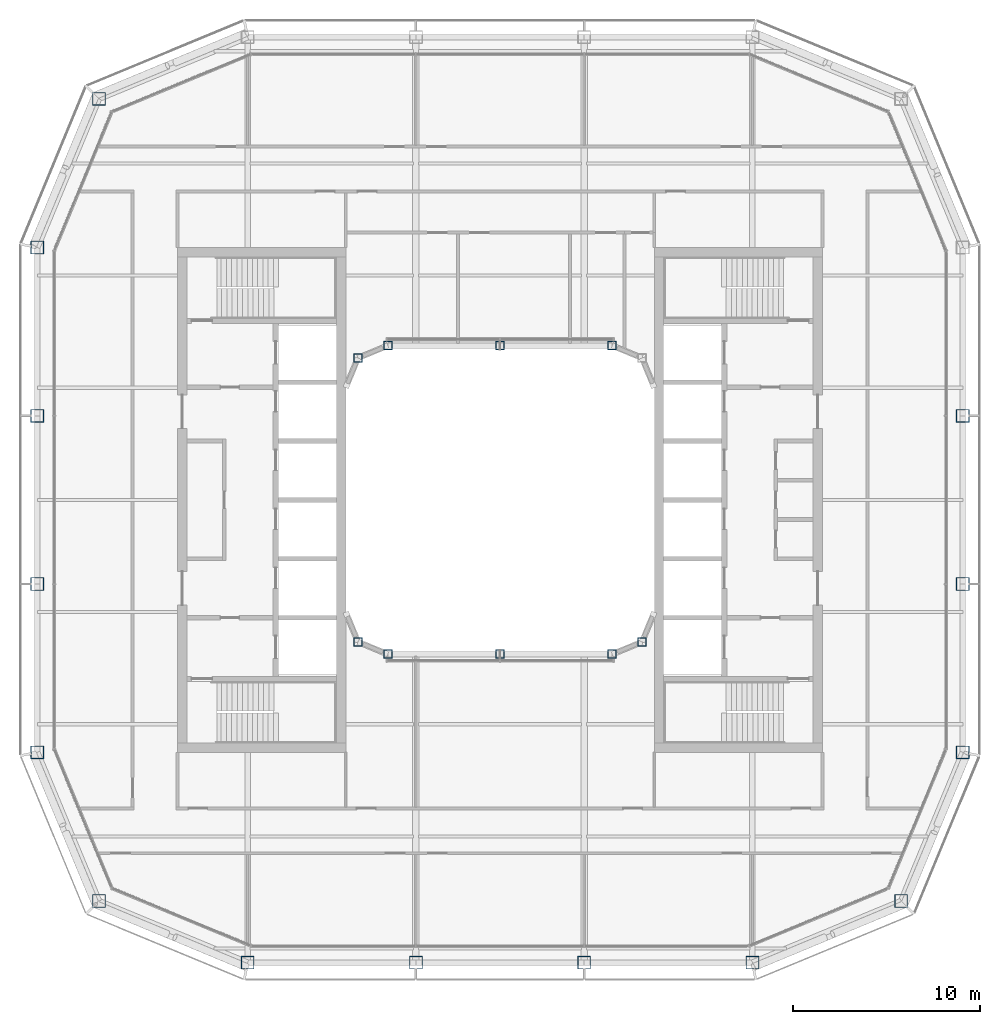
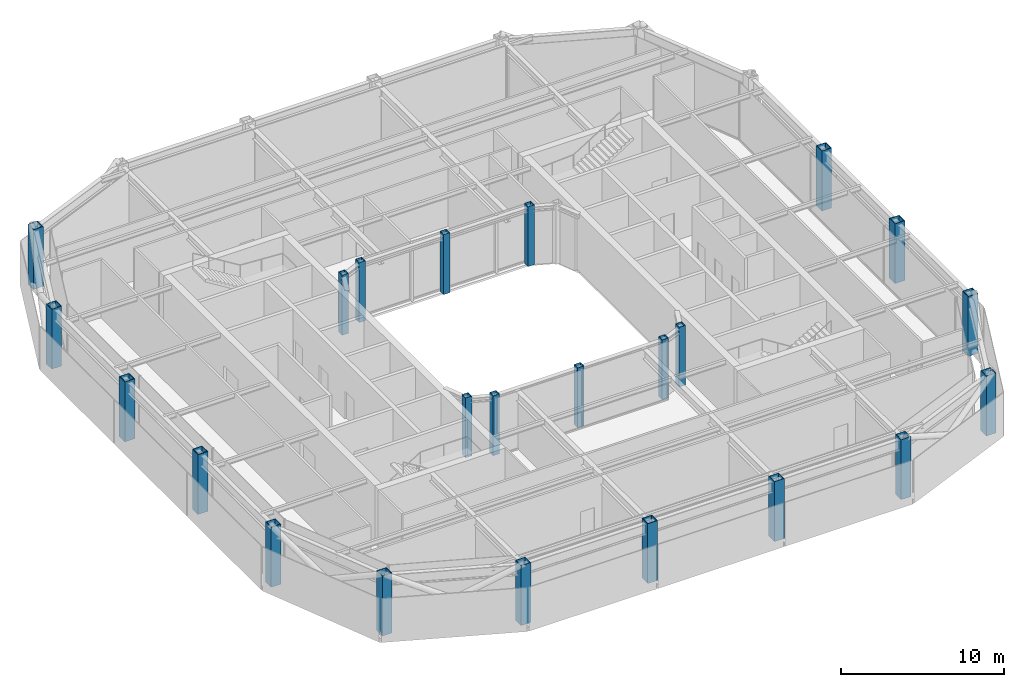
# One storey, part 1 of 18: 23 columns.
"""IFC4 building model written with IfcOpenShell, lengths in metres."""

from ifc_helpers import new_model, si_unit, direction, frame, origin, origin_2d, place, context, subcontext, project, spatial, hollow_rectangle, extrude, material, material_profile, profile_set, type_object, element, save


model = new_model("IFC4")

# Units and contexts
model_context = context("Model", 3, precision=1e-05, world=origin(), true_north=direction((0.0, 1.0)))
body_context = subcontext(model_context, "Body", "Model", "MODEL_VIEW")
ifc_project = project(units=[si_unit("LENGTHUNIT", "METRE"), si_unit("AREAUNIT", "SQUARE_METRE"), si_unit("VOLUMEUNIT", "CUBIC_METRE"), si_unit("PLANEANGLEUNIT", "RADIAN"), si_unit("MASSUNIT", "GRAM", prefix="KILO")], contexts=[model_context])

# Site, building, storey
site_placement = place(None, origin())
site = spatial("IfcSite", under=ifc_project, at=site_placement, CompositionType="ELEMENT")
building_placement = place(site_placement, origin())
building = spatial("IfcBuilding", under=site, at=building_placement, Name="Siwar Civic Tower", CompositionType="ELEMENT")
storey_placement = place(building_placement, frame((0.0, 0.0, 321.199951171875)))
storey = spatial("IfcBuildingStorey", under=building, at=storey_placement, Name="L69", CompositionType="ELEMENT", Elevation=321.199951171875)

# Columns
ifc_material_1 = material(Name="Steel S355", Category="steel")
ifc_material_profile_1 = material_profile(ifc_material_1, hollow_rectangle(XDim=0.699951171875, YDim=0.699951171875, WallThickness=0.035888671875, at=origin_2d()), Name="BOX700x700x36")
ifc_profile_set_1 = profile_set([ifc_material_profile_1], Name="Steel S355")
column_type_1 = type_object("IfcColumnType", Name="STR-COL-BOX700x700x36", PredefinedType="COLUMN", material=ifc_profile_set_1)
for number, where, z_axis, x_axis, name in (
    (1, (-13.5, -24.75, 0.0), (0.0, 0.0, 1.0), (1.0, 0.0, 0.0), "L69/col/S-0"),
    (2, (-4.5, -24.75, 0.0), (0.0, 0.0, 1.0), (1.0, 0.0, 0.0), "L69/col/S-1"),
    (3, (4.5, -24.75, 0.0), (0.0, 0.0, 1.0), (1.0, 0.0, 0.0), "L69/col/S-2"),
    (4, (13.5, -24.75, 0.0), (0.0, 0.0, 1.0), (1.0, 0.0, 0.0), "L69/col/SE1-0"),
    (5, (21.454833984375, -21.454833984375, 0.0), (0.0, 0.0, 1.0), (1.0, 0.0, 0.0), "L69/col/SE2-0"),
    (6, (24.75, -13.5, 0.0), (0.0, 0.0, 1.0), (1.0, 0.0, 0.0), "L69/col/E-0"),
    (7, (24.75, -4.5, 0.0), (0.0, 0.0, 1.0), (1.0, 0.0, 0.0), "L69/col/E-1"),
    (8, (24.75, 4.5, 0.0), (0.0, 0.0, 1.0), (1.0, 0.0, 0.0), "L69/col/E-2"),
    (9, (-21.454833984375, 21.454833984375, 0.0), (0.0, 0.0, 1.0), (1.0, 0.0, 0.0), "L69/col/NW2-0"),
    (10, (-24.75, 13.5, 0.0), (0.0, 0.0, 1.0), (1.0, 0.0, 0.0), "L69/col/W-0"),
    (11, (-24.75, 4.5, 0.0), (0.0, 0.0, 1.0), (1.0, 0.0, 0.0), "L69/col/W-1"),
    (12, (-24.75, -4.5, 0.0), (0.0, 0.0, 1.0), (1.0, 0.0, 0.0), "L69/col/W-2"),
    (13, (-24.75, -13.5, 0.0), (0.0, 0.0, 1.0), (1.0, 0.0, 0.0), "L69/col/SW1-0"),
    (14, (-21.454833984375, -21.454833984375, 0.0), (0.0, 0.0, 1.0), (1.0, 0.0, 0.0), "L69/col/SW2-0"),
):
    element("IfcColumn", number, at=place(storey_placement, frame(where, z_axis=z_axis, x_axis=x_axis)), inside=storey, type_object=column_type_1, Name=name, PredefinedType="COLUMN", context=body_context, shape_type="SweptSolid", body=[
        extrude(hollow_rectangle(XDim=0.699951171875, YDim=0.699951171875, WallThickness=0.035888671875, at=origin_2d()), origin(), (0.0, 0.0, 1.0), 4.5),
    ])
ifc_material_2 = material(Name="Steel S355", Category="steel")
ifc_material_profile_2 = material_profile(ifc_material_2, hollow_rectangle(XDim=0.449951171875, YDim=0.449951171875, WallThickness=0.02197265625, at=origin_2d()), Name="BOX450x450x22")
ifc_profile_set_2 = profile_set([ifc_material_profile_2], Name="Steel S355")
column_type_2 = type_object("IfcColumnType", Name="STR-ICOL-BOX450x450x22", PredefinedType="COLUMN", material=ifc_profile_set_2)
for number, where, z_axis, x_axis, name in (
    (15, (-7.591064453125, -7.591064453125, 0.0), (0.0, 0.0, 1.0), (1.0, 0.0, 0.0), "L69/col/IS-0"),
    (16, (-6.0, -8.25, 0.0), (0.0, 0.0, 1.0), (1.0, 0.0, 0.0), "L69/col/IS-1"),
    (17, (0.0, -8.25, 0.0), (0.0, 0.0, 1.0), (1.0, 0.0, 0.0), "L69/col/IS-2"),
    (18, (6.0, -8.25, 0.0), (0.0, 0.0, 1.0), (1.0, 0.0, 0.0), "L69/col/IS-3"),
    (19, (7.591064453125, -7.591064453125, 0.0), (0.0, 0.0, 1.0), (1.0, 0.0, 0.0), "L69/col/IS-4"),
    (20, (-7.591064453125, 7.591064453125, 0.0), (0.0, 0.0, 1.0), (1.0, 0.0, 0.0), "L69/col/IN-0"),
    (21, (-6.0, 8.25, 0.0), (0.0, 0.0, 1.0), (1.0, 0.0, 0.0), "L69/col/IN-1"),
    (22, (0.0, 8.25, 0.0), (0.0, 0.0, 1.0), (1.0, 0.0, 0.0), "L69/col/IN-2"),
    (23, (6.0, 8.25, 0.0), (0.0, 0.0, 1.0), (1.0, 0.0, 0.0), "L69/col/IN-3"),
):
    element("IfcColumn", number, at=place(storey_placement, frame(where, z_axis=z_axis, x_axis=x_axis)), inside=storey, type_object=column_type_2, Name=name, PredefinedType="COLUMN", context=body_context, shape_type="SweptSolid", body=[
        extrude(hollow_rectangle(XDim=0.449951171875, YDim=0.449951171875, WallThickness=0.02197265625, at=origin_2d()), origin(), (0.0, 0.0, 1.0), 4.5),
    ])

save(model, "model.ifc")
